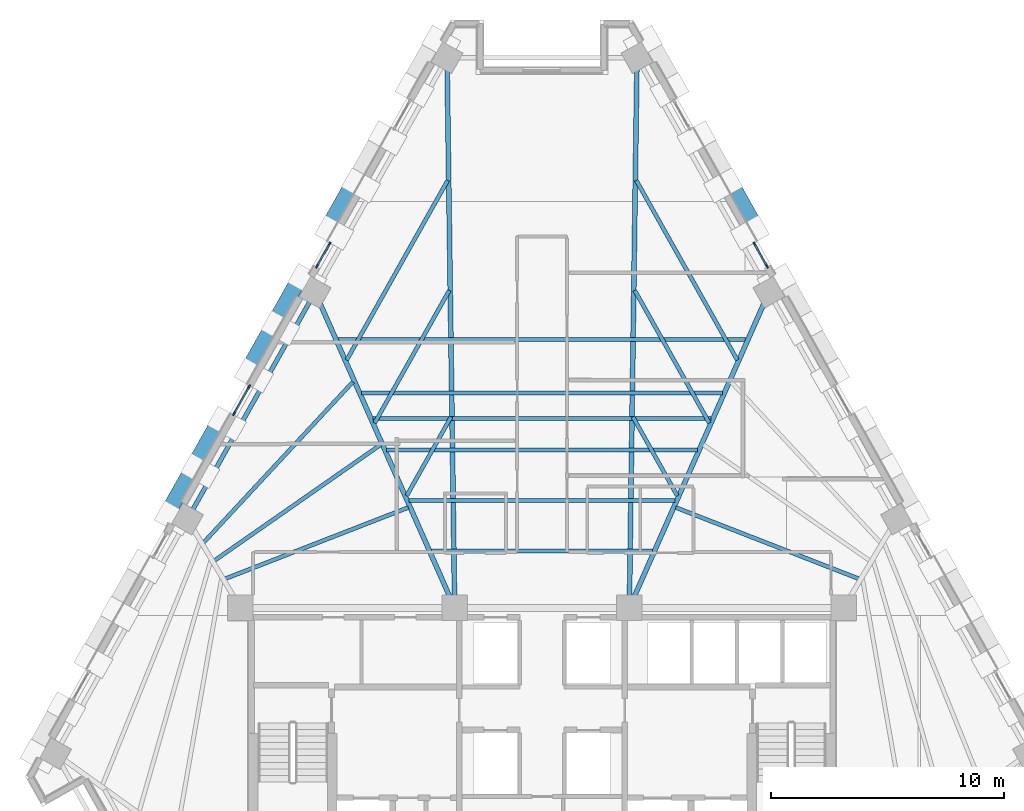
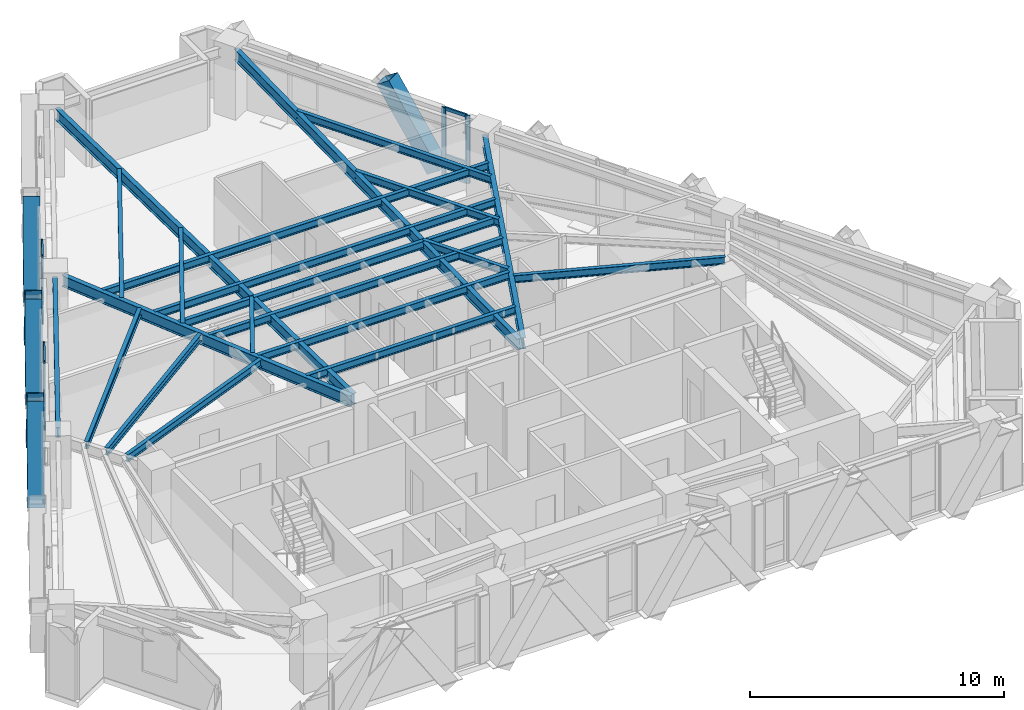
# One storey, part 3 of 13: 21 beams, 21 members, 3 elements without a shape of their own.
"""IFC4 building model written with IfcOpenShell, lengths in metres."""

from ifc_helpers import new_model, si_unit, direction, frame, origin, origin_2d, place, context, subcontext, project, spatial, rectangle, hollow_rectangle, i_section, extrude, material, material_profile, profile_set, type_object, element, aggregate, save


model = new_model("IFC4")

# Units and contexts
model_context = context("Model", 3, precision=1e-05, world=origin(), true_north=direction((0.0, 1.0)))
body_context = subcontext(model_context, "Body", "Model", "MODEL_VIEW")
ifc_project = project(units=[si_unit("LENGTHUNIT", "METRE"), si_unit("AREAUNIT", "SQUARE_METRE"), si_unit("VOLUMEUNIT", "CUBIC_METRE"), si_unit("PLANEANGLEUNIT", "RADIAN"), si_unit("MASSUNIT", "GRAM", prefix="KILO")], contexts=[model_context])

# Site, building, storey
site_placement = place(None, origin())
site = spatial("IfcSite", under=ifc_project, at=site_placement, CompositionType="ELEMENT")
building_placement = place(site_placement, origin())
building = spatial("IfcBuilding", under=site, at=building_placement, Name="Quenlor Broadcast Tower", CompositionType="ELEMENT")
storey_placement = place(building_placement, frame((0.0, 0.0, 137.0)))
storey = spatial("IfcBuildingStorey", under=building, at=storey_placement, Name="L37", CompositionType="ELEMENT", Elevation=137.0)

# Curtain wall, members
ifc_material_1 = material(Name="Architectural Terracotta and Low-E Glazing", Category="masonry")
curtain_wall_type = type_object("IfcCurtainWallType", Name="Unitised Terracotta Curtain Wall System Z3", PredefinedType="NOTDEFINED", material=ifc_material_1)
curtain_wall_1_placement = place(storey_placement, origin())
curtain_wall_1 = element("IfcCurtainWall", 1, at=curtain_wall_1_placement, inside=storey, type_object=curtain_wall_type, Name="L37 Curtain Wall CW3 (L37-NEA-G2)", PredefinedType="NOTDEFINED")
ifc_material_2 = material(Name="Aluminium 6063-T6", Category="aluminium")
ifc_material_profile_1 = material_profile(ifc_material_2, rectangle(XDim=0.070068359375, YDim=0.18994140625, at=origin_2d()))
ifc_profile_set_1 = profile_set([ifc_material_profile_1], Name="Aluminium 6063-T6 MULL70x190")
member_type_1 = type_object("IfcMemberType", Name="CW3 Aluminium Mullion MULL_CW3", PredefinedType="MULLION", material=ifc_profile_set_1)
member_1_placement = place(storey_placement, frame((9.1259765625, 10.8193359375, 0.0), z_axis=(0.0, 0.0, 1.0), x_axis=(0.871601010924, 0.490215950125, 0.0)))
member_1 = element("IfcMember", 2, at=member_1_placement, type_object=member_type_1, Name="CW3 mullion 1", PredefinedType="MULLION", context=body_context, shape_type="SweptSolid", body=[
    extrude(rectangle(XDim=0.070068359375, YDim=0.18994140625, at=origin_2d()), origin(), (0.0, 0.0, 1.0), 3.25),
])
member_2_placement = place(storey_placement, frame((9.656982421875, 9.875244140625, 0.0), z_axis=(0.0, 0.0, 1.0), x_axis=(0.871601010924, 0.490215950125, 0.0)))
member_2 = element("IfcMember", 3, at=member_2_placement, type_object=member_type_1, Name="CW3 mullion 2", PredefinedType="MULLION", context=body_context, shape_type="SweptSolid", body=[
    extrude(rectangle(XDim=0.070068359375, YDim=0.18994140625, at=origin_2d()), origin(), (0.0, 0.0, 1.0), 3.25),
])

curtain_wall_2_placement = place(storey_placement, origin())
curtain_wall_2 = element("IfcCurtainWall", 4, at=curtain_wall_2_placement, inside=storey, type_object=curtain_wall_type, Name="L37 Curtain Wall CW3 (L37-NWC-G1)", PredefinedType="NOTDEFINED")
member_3_placement = place(storey_placement, frame((-9.656982421875, 9.875244140625, 0.0), z_axis=(0.0, 0.0, 1.0), x_axis=(-0.871601010924, 0.490215950125, 0.0)))
member_3 = element("IfcMember", 5, at=member_3_placement, type_object=member_type_1, Name="CW3 mullion 1", PredefinedType="MULLION", context=body_context, shape_type="SweptSolid", body=[
    extrude(rectangle(XDim=0.070068359375, YDim=0.18994140625, at=origin_2d()), origin(), (0.0, 0.0, 1.0), 3.25),
])
member_4_placement = place(storey_placement, frame((-9.1259765625, 10.8193359375, 0.0), z_axis=(0.0, 0.0, 1.0), x_axis=(-0.871601010924, 0.490215950125, 0.0)))
member_4 = element("IfcMember", 6, at=member_4_placement, type_object=member_type_1, Name="CW3 mullion 2", PredefinedType="MULLION", context=body_context, shape_type="SweptSolid", body=[
    extrude(rectangle(XDim=0.070068359375, YDim=0.18994140625, at=origin_2d()), origin(), (0.0, 0.0, 1.0), 3.25),
])

curtain_wall_3_placement = place(storey_placement, origin())
curtain_wall_3 = element("IfcCurtainWall", 7, at=curtain_wall_3_placement, inside=storey, type_object=curtain_wall_type, Name="L37 Curtain Wall CW3 (L37-NW-G1)", PredefinedType="NOTDEFINED")
member_5_placement = place(storey_placement, frame((-13.220947265625, 3.5390625, 0.0), z_axis=(0.0, 0.0, 1.0), x_axis=(-0.871562085714, 0.490285152484, 0.0)))
member_5 = element("IfcMember", 8, at=member_5_placement, type_object=member_type_1, Name="CW3 mullion 1", PredefinedType="MULLION", context=body_context, shape_type="SweptSolid", body=[
    extrude(rectangle(XDim=0.070068359375, YDim=0.18994140625, at=origin_2d()), origin(), (0.0, 0.0, 1.0), 3.25),
])
member_6_placement = place(storey_placement, frame((-12.573974609375, 4.689208984375, 0.0), z_axis=(0.0, 0.0, 1.0), x_axis=(-0.871562085714, 0.490285152484, 0.0)))
member_6 = element("IfcMember", 9, at=member_6_placement, type_object=member_type_1, Name="CW3 mullion 2", PredefinedType="MULLION", context=body_context, shape_type="SweptSolid", body=[
    extrude(rectangle(XDim=0.070068359375, YDim=0.18994140625, at=origin_2d()), origin(), (0.0, 0.0, 1.0), 3.25),
])

# Member
ifc_material_3 = material(Name="Aluminium 6063-T6", Category="aluminium")
ifc_material_profile_2 = material_profile(ifc_material_3, rectangle(XDim=0.070068359375, YDim=0.155029296875, at=origin_2d()))
ifc_profile_set_2 = profile_set([ifc_material_profile_2], Name="Aluminium 6063-T6 TRAN70x155")
member_type_2 = type_object("IfcMemberType", Name="CW3 Aluminium Transom TRAN_CW3", PredefinedType="USERDEFINED", material=ifc_profile_set_2)
member_7_placement = place(storey_placement, frame((9.14306640625, 10.788818359375, 0.034912109375), z_axis=(0.490341317219, -0.871530488639, 0.0), x_axis=(0.871530488639, 0.490341317219, 0.0)))
member_7 = element("IfcMember", 10, at=member_7_placement, type_object=member_type_2, Name="CW3 transom 1.1", ObjectType="TRANSOM", PredefinedType="USERDEFINED", context=body_context, shape_type="SweptSolid", body=[
    extrude(rectangle(XDim=0.070068359375, YDim=0.155029296875, at=origin_2d()), origin(), (0.0, 0.0, 1.0), 1.01318359375),
])

member_8_placement = place(storey_placement, frame((9.14306640625, 10.788818359375, 0.949951171875), z_axis=(0.490341317219, -0.871530488639, 0.0), x_axis=(0.871530488639, 0.490341317219, 0.0)))
member_8 = element("IfcMember", 11, at=member_8_placement, type_object=member_type_2, Name="CW3 transom 1.2", ObjectType="TRANSOM", PredefinedType="USERDEFINED", context=body_context, shape_type="SweptSolid", body=[
    extrude(rectangle(XDim=0.070068359375, YDim=0.155029296875, at=origin_2d()), origin(), (0.0, 0.0, 1.0), 1.01318359375),
])

member_9_placement = place(storey_placement, frame((9.14306640625, 10.788818359375, 3.215087890625), z_axis=(0.490341317219, -0.871530488639, 0.0), x_axis=(0.871530488639, 0.490341317219, 0.0)))
member_9 = element("IfcMember", 12, at=member_9_placement, type_object=member_type_2, Name="CW3 transom 1.3", ObjectType="TRANSOM", PredefinedType="USERDEFINED", context=body_context, shape_type="SweptSolid", body=[
    extrude(rectangle(XDim=0.070068359375, YDim=0.155029296875, at=origin_2d()), origin(), (0.0, 0.0, 1.0), 1.01318359375),
])

aggregate(curtain_wall_1, [member_1, member_2, member_7, member_8, member_9])

member_10_placement = place(storey_placement, frame((-9.639892578125, 9.90576171875, 0.034912109375), z_axis=(0.490341317219, 0.871530488639, 0.0), x_axis=(-0.871530488639, 0.490341317219, 0.0)))
member_10 = element("IfcMember", 13, at=member_10_placement, type_object=member_type_2, Name="CW3 transom 1.1", ObjectType="TRANSOM", PredefinedType="USERDEFINED", context=body_context, shape_type="SweptSolid", body=[
    extrude(rectangle(XDim=0.070068359375, YDim=0.155029296875, at=origin_2d()), origin(), (0.0, 0.0, 1.0), 1.01318359375),
])

member_11_placement = place(storey_placement, frame((-9.639892578125, 9.90576171875, 0.949951171875), z_axis=(0.490341317219, 0.871530488639, 0.0), x_axis=(-0.871530488639, 0.490341317219, 0.0)))
member_11 = element("IfcMember", 14, at=member_11_placement, type_object=member_type_2, Name="CW3 transom 1.2", ObjectType="TRANSOM", PredefinedType="USERDEFINED", context=body_context, shape_type="SweptSolid", body=[
    extrude(rectangle(XDim=0.070068359375, YDim=0.155029296875, at=origin_2d()), origin(), (0.0, 0.0, 1.0), 1.01318359375),
])

member_12_placement = place(storey_placement, frame((-9.639892578125, 9.90576171875, 3.215087890625), z_axis=(0.490341317219, 0.871530488639, 0.0), x_axis=(-0.871530488639, 0.490341317219, 0.0)))
member_12 = element("IfcMember", 15, at=member_12_placement, type_object=member_type_2, Name="CW3 transom 1.3", ObjectType="TRANSOM", PredefinedType="USERDEFINED", context=body_context, shape_type="SweptSolid", body=[
    extrude(rectangle(XDim=0.070068359375, YDim=0.155029296875, at=origin_2d()), origin(), (0.0, 0.0, 1.0), 1.01318359375),
])

aggregate(curtain_wall_2, [member_3, member_4, member_10, member_11, member_12])

member_13_placement = place(storey_placement, frame((-13.203857421875, 3.569580078125, 0.034912109375), z_axis=(0.490363266059, 0.871518139398, 0.0), x_axis=(-0.871518139398, 0.490363266059, 0.0)))
member_13 = element("IfcMember", 16, at=member_13_placement, type_object=member_type_2, Name="CW3 transom 1.1", ObjectType="TRANSOM", PredefinedType="USERDEFINED", context=body_context, shape_type="SweptSolid", body=[
    extrude(rectangle(XDim=0.070068359375, YDim=0.155029296875, at=origin_2d()), origin(), (0.0, 0.0, 1.0), 1.249755859375),
])

member_14_placement = place(storey_placement, frame((-13.203857421875, 3.569580078125, 0.949951171875), z_axis=(0.490363266059, 0.871518139398, 0.0), x_axis=(-0.871518139398, 0.490363266059, 0.0)))
member_14 = element("IfcMember", 17, at=member_14_placement, type_object=member_type_2, Name="CW3 transom 1.2", ObjectType="TRANSOM", PredefinedType="USERDEFINED", context=body_context, shape_type="SweptSolid", body=[
    extrude(rectangle(XDim=0.070068359375, YDim=0.155029296875, at=origin_2d()), origin(), (0.0, 0.0, 1.0), 1.249755859375),
])

member_15_placement = place(storey_placement, frame((-13.203857421875, 3.569580078125, 3.215087890625), z_axis=(0.490363266059, 0.871518139398, 0.0), x_axis=(-0.871518139398, 0.490363266059, 0.0)))
member_15 = element("IfcMember", 18, at=member_15_placement, type_object=member_type_2, Name="CW3 transom 1.3", ObjectType="TRANSOM", PredefinedType="USERDEFINED", context=body_context, shape_type="SweptSolid", body=[
    extrude(rectangle(XDim=0.070068359375, YDim=0.155029296875, at=origin_2d()), origin(), (0.0, 0.0, 1.0), 1.249755859375),
])

aggregate(curtain_wall_3, [member_5, member_6, member_13, member_14, member_15])

# Members
ifc_material_4 = material(Name="Steel S355", Category="steel")
ifc_material_profile_3 = material_profile(ifc_material_4, hollow_rectangle(XDim=0.679931640625, YDim=0.679931640625, WallThickness=0.02490234375, at=origin_2d()))
ifc_profile_set_3 = profile_set([ifc_material_profile_3], Name="Steel S355 RHS680x680x25")
member_type_3 = type_object("IfcMemberType", Name="Perimeter Diagonal Lattice Brace Z3-Z4 Steel S355 RHS680x25", PredefinedType="BRACE", material=ifc_profile_set_3)
for number, where, z_axis, x_axis, name in (
    (19, (9.212158203125, 11.4716796875, -0.1201171875), (-0.27060310517, 0.481001091283, 0.833913610428), (-0.871544572467, -0.490316283845, 0.0), "L37 Perimeter Diamond Lattice NE-C2B"),
    (20, (-16.1083984375, -0.7880859375, -0.1201171875), (0.27060310517, 0.481001091283, 0.833913610428), (-0.871544572467, 0.490316283845, 0.0), "L37 Perimeter Diamond Lattice NW-C2S"),
    (21, (-12.66015625, 5.341796875, -0.1201171875), (0.2705491942, 0.481008661973, 0.833926735766), (-0.871589611547, 0.490236217596, 0.0), "L37 Perimeter Diamond Lattice NW-C3S"),
    (22, (-13.823486328125, 3.27392578125, -0.1201171875), (-0.2705491942, -0.481008661973, 0.833926735766), (0.871589611547, -0.490236217596, 0.0), "L37 Perimeter Diamond Lattice NW-C3B"),
    (23, (-9.212158203125, 11.4716796875, -0.1201171875), (0.27060310517, 0.481001091283, 0.833913610428), (-0.871544572467, 0.490316283845, 0.0), "L37 Perimeter Diamond Lattice NW-C4S"),
    (24, (-10.375244140625, 9.40380859375, -0.1201171875), (-0.2705491942, -0.481008661973, 0.833926735766), (0.871589611547, -0.490236217596, 0.0), "L37 Perimeter Diamond Lattice NW-C4B"),
):
    element("IfcMember", number, at=place(storey_placement, frame(where, z_axis=z_axis, x_axis=x_axis)), inside=storey, type_object=member_type_3, Name=name, PredefinedType="BRACE", context=body_context, shape_type="SweptSolid", body=[
        extrude(hollow_rectangle(XDim=0.679931640625, YDim=0.679931640625, WallThickness=0.02490234375, at=origin_2d()), origin(), (0.0, 0.0, 1.0), 4.197021484375),
    ])

# Beams
ifc_material_5 = material(Name="Steel S355", Category="steel")
ifc_material_profile_4 = material_profile(ifc_material_5, i_section(OverallWidth=0.19091796875, OverallDepth=0.46044921875, WebThickness=0.010009765625, FlangeThickness=0.01611328125, FilletRadius=0.011474609375, at=origin_2d()))
ifc_profile_set_4 = profile_set([ifc_material_profile_4], Name="Steel S355 460UB82.1")
beam_type_1 = type_object("IfcBeamType", Name="Perimeter Spandrel Beam Z3 Steel S355 460UB82.1", PredefinedType="SPANDREL", material=ifc_profile_set_4)
beam_1_placement = place(storey_placement, frame((-9.944091796875, 8.39599609375, 3.019775390625), z_axis=(-0.490252288562, -0.871580572041, 0.0), x_axis=(0.871580572041, -0.490252288562, 0.0)))
element("IfcBeam", 25, at=beam_1_placement, inside=storey, type_object=beam_type_1, Name="L37 Spandrel Beam NW2-NW3", PredefinedType="SPANDREL", context=body_context, shape_type="SweptSolid", body=[
    extrude(i_section(OverallWidth=0.19091796875, OverallDepth=0.46044921875, WebThickness=0.010009765625, FlangeThickness=0.01611328125, FilletRadius=0.011474609375, at=origin_2d()), origin(), (0.0, 0.0, 1.0), 10.359619140625),
])
ifc_material_6 = material(Name="Steel S355", Category="steel")
ifc_material_profile_5 = material_profile(ifc_material_6, i_section(OverallWidth=0.172119140625, OverallDepth=0.358642578125, WebThickness=0.008056640625, FlangeThickness=0.012939453125, FilletRadius=0.011474609375, at=origin_2d()))
ifc_profile_set_5 = profile_set([ifc_material_profile_5], Name="Steel S355 360UB56.7")
beam_type_2 = type_object("IfcBeamType", Name="Tower Composite Joist Z2-Z3 Steel S355 360UB56.7", PredefinedType="JOIST", material=ifc_profile_set_5)
beam_2_placement = place(storey_placement, frame((-4.748779296875, -2.3603515625, 3.07080078125), z_axis=(1.0, 0.0, 0.0), x_axis=(0.0, 1.0, 0.0)))
element("IfcBeam", 26, at=beam_2_placement, inside=storey, type_object=beam_type_2, Name="L37 Secondary Composite Joist 1", PredefinedType="JOIST", context=body_context, shape_type="SweptSolid", body=[
    extrude(i_section(OverallWidth=0.172119140625, OverallDepth=0.358642578125, WebThickness=0.008056640625, FlangeThickness=0.012939453125, FilletRadius=0.011474609375, at=origin_2d()), origin(), (0.0, 0.0, 1.0), 9.49755859375),
])
beam_3_placement = place(storey_placement, frame((-7.265869140625, 3.33203125, 3.07080078125), z_axis=(1.0, 0.0, 0.0), x_axis=(0.0, 1.0, 0.0)))
element("IfcBeam", 27, at=beam_3_placement, inside=storey, type_object=beam_type_2, Name="L37 Secondary Composite Joist 2", PredefinedType="JOIST", context=body_context, shape_type="SweptSolid", body=[
    extrude(i_section(OverallWidth=0.172119140625, OverallDepth=0.358642578125, WebThickness=0.008056640625, FlangeThickness=0.012939453125, FilletRadius=0.011474609375, at=origin_2d()), origin(), (0.0, 0.0, 1.0), 14.53173828125),
])
beam_4_placement = place(storey_placement, frame((-5.70751953125, -0.19189453125, 3.07080078125), z_axis=(1.0, 0.0, 0.0), x_axis=(0.0, 1.0, 0.0)))
element("IfcBeam", 28, at=beam_4_placement, inside=storey, type_object=beam_type_2, Name="L37 Secondary Composite Joist 3", PredefinedType="JOIST", context=body_context, shape_type="SweptSolid", body=[
    extrude(i_section(OverallWidth=0.172119140625, OverallDepth=0.358642578125, WebThickness=0.008056640625, FlangeThickness=0.012939453125, FilletRadius=0.011474609375, at=origin_2d()), origin(), (0.0, 0.0, 1.0), 11.4150390625),
])
beam_5_placement = place(storey_placement, frame((-6.66650390625, 1.976806640625, 3.07080078125), z_axis=(1.0, 0.0, 0.0), x_axis=(0.0, 1.0, 0.0)))
element("IfcBeam", 29, at=beam_5_placement, inside=storey, type_object=beam_type_2, Name="L37 Secondary Composite Joist 4", PredefinedType="JOIST", context=body_context, shape_type="SweptSolid", body=[
    extrude(i_section(OverallWidth=0.172119140625, OverallDepth=0.358642578125, WebThickness=0.008056640625, FlangeThickness=0.012939453125, FilletRadius=0.011474609375, at=origin_2d()), origin(), (0.0, 0.0, 1.0), 13.3330078125),
])
beam_6_placement = place(storey_placement, frame((-7.7451171875, 4.416259765625, 3.07080078125), z_axis=(1.0, 0.0, 0.0), x_axis=(0.0, 1.0, 0.0)))
element("IfcBeam", 30, at=beam_6_placement, inside=storey, type_object=beam_type_2, Name="L37 Secondary Composite Joist 5", PredefinedType="JOIST", context=body_context, shape_type="SweptSolid", body=[
    extrude(i_section(OverallWidth=0.172119140625, OverallDepth=0.358642578125, WebThickness=0.008056640625, FlangeThickness=0.012939453125, FilletRadius=0.011474609375, at=origin_2d()), origin(), (0.0, 0.0, 1.0), 15.490234375),
])
beam_7_placement = place(storey_placement, frame((-8.763916015625, 6.72021484375, 3.07080078125), z_axis=(1.0, 0.0, 0.0), x_axis=(0.0, 1.0, 0.0)))
element("IfcBeam", 31, at=beam_7_placement, inside=storey, type_object=beam_type_2, Name="L37 Secondary Composite Joist 6", PredefinedType="JOIST", context=body_context, shape_type="SweptSolid", body=[
    extrude(i_section(OverallWidth=0.172119140625, OverallDepth=0.358642578125, WebThickness=0.008056640625, FlangeThickness=0.012939453125, FilletRadius=0.011474609375, at=origin_2d()), origin(), (0.0, 0.0, 1.0), 17.52783203125),
])
beam_8_placement = place(storey_placement, frame((-13.60302734375, -3.552001953125, 3.07080078125), z_axis=(0.931881865797, 0.362761889121, 0.0), x_axis=(-0.362761889121, 0.931881865797, 0.0)))
element("IfcBeam", 32, at=beam_8_placement, inside=storey, type_object=beam_type_2, Name="L37 Secondary Composite Joist 7", PredefinedType="JOIST", context=body_context, shape_type="SweptSolid", body=[
    extrude(i_section(OverallWidth=0.172119140625, OverallDepth=0.358642578125, WebThickness=0.008056640625, FlangeThickness=0.012939453125, FilletRadius=0.011474609375, at=origin_2d()), origin(), (0.0, 0.0, 1.0), 8.435546875),
])
beam_9_placement = place(storey_placement, frame((-14.06689453125, -2.7734375, 3.07080078125), z_axis=(0.82026568394, 0.57198269882, 0.0), x_axis=(-0.57198269882, 0.82026568394, 0.0)))
element("IfcBeam", 33, at=beam_9_placement, inside=storey, type_object=beam_type_2, Name="L37 Secondary Composite Joist 8", PredefinedType="JOIST", context=body_context, shape_type="SweptSolid", body=[
    extrude(i_section(OverallWidth=0.172119140625, OverallDepth=0.358642578125, WebThickness=0.008056640625, FlangeThickness=0.012939453125, FilletRadius=0.011474609375, at=origin_2d()), origin(), (0.0, 0.0, 1.0), 8.698486328125),
])
beam_10_placement = place(storey_placement, frame((-14.53271484375, -1.998779296875, 3.07080078125), z_axis=(0.680873505991, 0.732401030065, 0.0), x_axis=(-0.732401030065, 0.680873505991, 0.0)))
element("IfcBeam", 34, at=beam_10_placement, inside=storey, type_object=beam_type_2, Name="L37 Secondary Composite Joist 9", PredefinedType="JOIST", context=body_context, shape_type="SweptSolid", body=[
    extrude(i_section(OverallWidth=0.172119140625, OverallDepth=0.358642578125, WebThickness=0.008056640625, FlangeThickness=0.012939453125, FilletRadius=0.011474609375, at=origin_2d()), origin(), (0.0, 0.0, 1.0), 9.419189453125),
])
beam_11_placement = place(storey_placement, frame((13.60302734375, -3.552001953125, 3.07080078125), z_axis=(-0.931881865797, 0.362761889121, 0.0), x_axis=(-0.362761889121, -0.931881865797, 0.0)))
element("IfcBeam", 35, at=beam_11_placement, inside=storey, type_object=beam_type_2, Name="L37 Secondary Composite Joist 10", PredefinedType="JOIST", context=body_context, shape_type="SweptSolid", body=[
    extrude(i_section(OverallWidth=0.172119140625, OverallDepth=0.358642578125, WebThickness=0.008056640625, FlangeThickness=0.012939453125, FilletRadius=0.011474609375, at=origin_2d()), origin(), (0.0, 0.0, 1.0), 8.435546875),
])
beam_12_placement = place(storey_placement, frame((-3.904541015625, 3.39794921875, 3.07080078125), z_axis=(-0.49026422458, -0.871573858085, 0.0), x_axis=(0.871573858085, -0.49026422458, 0.0)))
element("IfcBeam", 36, at=beam_12_placement, inside=storey, type_object=beam_type_2, Name="L37 Secondary Composite Joist 25", PredefinedType="JOIST", context=body_context, shape_type="SweptSolid", body=[
    extrude(i_section(OverallWidth=0.172119140625, OverallDepth=0.358642578125, WebThickness=0.008056640625, FlangeThickness=0.012939453125, FilletRadius=0.011474609375, at=origin_2d()), origin(), (0.0, 0.0, 1.0), 3.88330078125),
])
beam_13_placement = place(storey_placement, frame((-3.980224609375, 8.8310546875, 3.07080078125), z_axis=(-0.490266556378, -0.871572546434, 0.0), x_axis=(0.871572546434, -0.490266556378, 0.0)))
element("IfcBeam", 37, at=beam_13_placement, inside=storey, type_object=beam_type_2, Name="L37 Secondary Composite Joist 26", PredefinedType="JOIST", context=body_context, shape_type="SweptSolid", body=[
    extrude(i_section(OverallWidth=0.172119140625, OverallDepth=0.358642578125, WebThickness=0.008056640625, FlangeThickness=0.012939453125, FilletRadius=0.011474609375, at=origin_2d()), origin(), (0.0, 0.0, 1.0), 6.54052734375),
])
beam_14_placement = place(storey_placement, frame((-4.046142578125, 13.555419921875, 3.07080078125), z_axis=(-0.490254691431, -0.871579220455, 0.0), x_axis=(0.871579220455, -0.490254691431, 0.0)))
element("IfcBeam", 38, at=beam_14_placement, inside=storey, type_object=beam_type_2, Name="L37 Secondary Composite Joist 27", PredefinedType="JOIST", context=body_context, shape_type="SweptSolid", body=[
    extrude(i_section(OverallWidth=0.172119140625, OverallDepth=0.358642578125, WebThickness=0.008056640625, FlangeThickness=0.012939453125, FilletRadius=0.011474609375, at=origin_2d()), origin(), (0.0, 0.0, 1.0), 8.850830078125),
])
beam_15_placement = place(storey_placement, frame((3.904541015625, 3.39794921875, 3.07080078125), z_axis=(0.49026422458, -0.871573858085, 0.0), x_axis=(0.871573858085, 0.49026422458, 0.0)))
element("IfcBeam", 39, at=beam_15_placement, inside=storey, type_object=beam_type_2, Name="L37 Secondary Composite Joist 28", PredefinedType="JOIST", context=body_context, shape_type="SweptSolid", body=[
    extrude(i_section(OverallWidth=0.172119140625, OverallDepth=0.358642578125, WebThickness=0.008056640625, FlangeThickness=0.012939453125, FilletRadius=0.011474609375, at=origin_2d()), origin(), (0.0, 0.0, 1.0), 3.88330078125),
])
beam_16_placement = place(storey_placement, frame((3.980224609375, 8.8310546875, 3.07080078125), z_axis=(0.490266556378, -0.871572546434, 0.0), x_axis=(0.871572546434, 0.490266556378, 0.0)))
element("IfcBeam", 40, at=beam_16_placement, inside=storey, type_object=beam_type_2, Name="L37 Secondary Composite Joist 29", PredefinedType="JOIST", context=body_context, shape_type="SweptSolid", body=[
    extrude(i_section(OverallWidth=0.172119140625, OverallDepth=0.358642578125, WebThickness=0.008056640625, FlangeThickness=0.012939453125, FilletRadius=0.011474609375, at=origin_2d()), origin(), (0.0, 0.0, 1.0), 6.54052734375),
])
beam_17_placement = place(storey_placement, frame((4.046142578125, 13.555419921875, 3.07080078125), z_axis=(0.490254691431, -0.871579220455, 0.0), x_axis=(0.871579220455, 0.490254691431, 0.0)))
element("IfcBeam", 41, at=beam_17_placement, inside=storey, type_object=beam_type_2, Name="L37 Secondary Composite Joist 30", PredefinedType="JOIST", context=body_context, shape_type="SweptSolid", body=[
    extrude(i_section(OverallWidth=0.172119140625, OverallDepth=0.358642578125, WebThickness=0.008056640625, FlangeThickness=0.012939453125, FilletRadius=0.011474609375, at=origin_2d()), origin(), (0.0, 0.0, 1.0), 8.850830078125),
])
ifc_material_7 = material(Name="Steel S355", Category="steel")
ifc_material_profile_6 = material_profile(ifc_material_7, i_section(OverallWidth=0.208984375, OverallDepth=0.532958984375, WebThickness=0.01025390625, FlangeThickness=0.015625, FilletRadius=0.013916015625, at=origin_2d()))
ifc_profile_set_6 = profile_set([ifc_material_profile_6], Name="Steel S355 530UB92.4")
beam_type_3 = type_object("IfcBeamType", Name="Tower Primary Floor Beam Z3 Steel S355 530UB92.4", PredefinedType="BEAM", material=ifc_profile_set_6)
beam_18_placement = place(storey_placement, frame((9.5771484375, 8.37841796875, 2.9833984375), z_axis=(-0.404397129794, -0.914583490675, 0.0), x_axis=(0.914583490675, -0.404397129794, 0.0)))
element("IfcBeam", 42, at=beam_18_placement, inside=storey, type_object=beam_type_3, Name="L37 Primary Radial Beam NE3", PredefinedType="BEAM", context=body_context, shape_type="SweptSolid", body=[
    extrude(i_section(OverallWidth=0.208984375, OverallDepth=0.532958984375, WebThickness=0.01025390625, FlangeThickness=0.015625, FilletRadius=0.013916015625, at=origin_2d()), origin(), (0.0, 0.0, 1.0), 14.029052734375),
])
for number, where, z_axis, x_axis, name in (
    (43, (4.073486328125, 18.412109375, 2.9833984375), (-0.013931496433, -0.999902951994, 0.0), (0.999902951994, -0.013931496433, 0.0), "L37 Primary Radial Beam NE4"),
    (44, (-4.073486328125, 18.412109375, 2.9833984375), (0.013931496433, -0.999902951994, 0.0), (0.999902951994, 0.013931496433, 0.0), "L37 Primary Radial Beam NW1"),
):
    element("IfcBeam", number, at=place(storey_placement, frame(where, z_axis=z_axis, x_axis=x_axis)), inside=storey, type_object=beam_type_3, Name=name, PredefinedType="BEAM", context=body_context, shape_type="SweptSolid", body=[
        extrude(i_section(OverallWidth=0.208984375, OverallDepth=0.532958984375, WebThickness=0.01025390625, FlangeThickness=0.015625, FilletRadius=0.013916015625, at=origin_2d()), origin(), (0.0, 0.0, 1.0), 22.834228515625),
    ])
beam_19_placement = place(storey_placement, frame((-9.5771484375, 8.37841796875, 2.9833984375), z_axis=(0.404397129794, -0.914583490675, 0.0), x_axis=(0.914583490675, 0.404397129794, 0.0)))
element("IfcBeam", 45, at=beam_19_placement, inside=storey, type_object=beam_type_3, Name="L37 Primary Radial Beam NW2", PredefinedType="BEAM", context=body_context, shape_type="SweptSolid", body=[
    extrude(i_section(OverallWidth=0.208984375, OverallDepth=0.532958984375, WebThickness=0.01025390625, FlangeThickness=0.015625, FilletRadius=0.013916015625, at=origin_2d()), origin(), (0.0, 0.0, 1.0), 14.029052734375),
])

save(model, "model.ifc")
